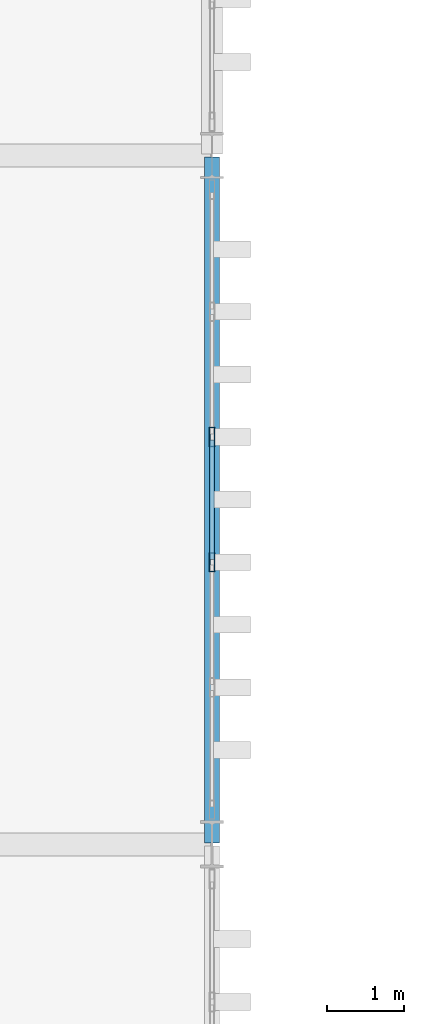
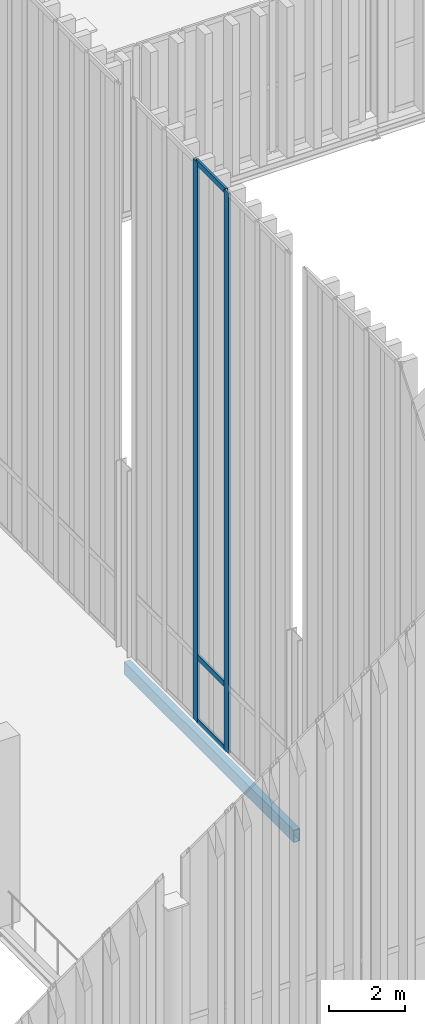
# One storey, part 53 of 237: 5 members, 1 beam, 1 element without a shape of its own.
"""IFC4 building model written with IfcOpenShell, lengths in metres."""

from ifc_helpers import new_model, si_unit, direction, frame, origin, origin_2d, place, context, subcontext, project, spatial, hollow_rectangle, extrude, material, layer, layer_set, material_profile, profile_set, type_object, element, aggregate, save


model = new_model("IFC4")

# Units and contexts
model_context = context("Model", 3, precision=1e-05, world=origin(), true_north=direction((0.0, 1.0)))
body_context = subcontext(model_context, "Body", "Model", "MODEL_VIEW")
ifc_project = project(units=[si_unit("LENGTHUNIT", "METRE"), si_unit("AREAUNIT", "SQUARE_METRE"), si_unit("VOLUMEUNIT", "CUBIC_METRE"), si_unit("PLANEANGLEUNIT", "RADIAN"), si_unit("MASSUNIT", "GRAM", prefix="KILO")], contexts=[model_context])

# Site, building, storey
site_placement = place(None, origin())
site = spatial("IfcSite", under=ifc_project, at=site_placement, CompositionType="ELEMENT")
building_placement = place(site_placement, origin())
building = spatial("IfcBuilding", under=site, at=building_placement, Name="Barlavento Convention Centre", CompositionType="ELEMENT")
storey_placement = place(building_placement, frame((0.0, 0.0, 12.0)))
storey = spatial("IfcBuildingStorey", under=building, at=storey_placement, Name="L02", CompositionType="ELEMENT", Elevation=12.0)

# Curtain wall, members
ifc_material_1 = material(Name="Powder-coated aluminium and Low-E glass", Category="aluminium")
ifc_layer = layer(ifc_material_1, 0.18994140625)
ifc_layer_set = layer_set([ifc_layer], Name="ARC-CW-CONG-L02")
curtain_wall_type = type_object("IfcCurtainWallType", Name="ARC-CW-CONG-L02", PredefinedType="NOTDEFINED", material=ifc_layer_set)
curtain_wall_placement = place(storey_placement, origin())
curtain_wall = element("IfcCurtainWall", 1, at=curtain_wall_placement, inside=storey, type_object=curtain_wall_type, Name="L02 unitised curtain wall CW02", PredefinedType="NOTDEFINED")
ifc_material_2 = material(Name="Powder-coated aluminium", Category="aluminium")
ifc_material_profile_1 = material_profile(ifc_material_2, hollow_rectangle(XDim=0.074951171875, YDim=0.25, WallThickness=0.006103515625, at=origin_2d()), Name="AL-MULL 75x250x6")
ifc_profile_set_1 = profile_set([ifc_material_profile_1], Name="Powder-coated aluminium")
member_type_1 = type_object("IfcMemberType", Name="ARC-CWM-75X250", PredefinedType="MULLION", material=ifc_profile_set_1)
member_1_placement = place(storey_placement, frame((63.0, 21.68701171875, 0.0), z_axis=(0.0, 0.0, 1.0), x_axis=(-1.0, 0.0, 0.0)))
member_1 = element("IfcMember", 2, at=member_1_placement, type_object=member_type_1, Name="CW02 mullion 3", PredefinedType="MULLION", context=body_context, shape_type="SweptSolid", body=[
    extrude(hollow_rectangle(XDim=0.074951171875, YDim=0.25, WallThickness=0.006103515625, at=origin_2d()), origin(), (0.0, 0.0, 1.0), 18.037109375),
])
member_2_placement = place(storey_placement, frame((63.0, 23.322998046875, 0.0), z_axis=(0.0, 0.0, 1.0), x_axis=(-1.0, 0.0, 0.0)))
member_2 = element("IfcMember", 3, at=member_2_placement, type_object=member_type_1, Name="CW02 mullion 4", PredefinedType="MULLION", context=body_context, shape_type="SweptSolid", body=[
    extrude(hollow_rectangle(XDim=0.074951171875, YDim=0.25, WallThickness=0.006103515625, at=origin_2d()), origin(), (0.0, 0.0, 1.0), 18.037109375),
])
ifc_material_profile_2 = material_profile(ifc_material_2, hollow_rectangle(XDim=0.070068359375, YDim=0.179931640625, WallThickness=0.0048828125, at=origin_2d()), Name="AL-TRAN 70x180x5")
ifc_profile_set_2 = profile_set([ifc_material_profile_2], Name="Powder-coated aluminium")
member_type_2 = type_object("IfcMemberType", Name="ARC-CWT-70X180", PredefinedType="USERDEFINED", material=ifc_profile_set_2)
member_3_placement = place(storey_placement, frame((63.0, 21.724609375, 0.034912109375), z_axis=(0.0, 1.0, 0.0), x_axis=(-1.0, 0.0, 0.0)))
member_3 = element("IfcMember", 4, at=member_3_placement, type_object=member_type_2, Name="CW02 transom 3.1", ObjectType="TRANSOM", PredefinedType="USERDEFINED", context=body_context, shape_type="SweptSolid", body=[
    extrude(hollow_rectangle(XDim=0.070068359375, YDim=0.179931640625, WallThickness=0.0048828125, at=origin_2d()), origin(), (0.0, 0.0, 1.0), 1.560791015625),
])
member_4_placement = place(storey_placement, frame((63.0, 21.724609375, 2.10009765625), z_axis=(0.0, 1.0, 0.0), x_axis=(-1.0, 0.0, 0.0)))
member_4 = element("IfcMember", 5, at=member_4_placement, type_object=member_type_2, Name="CW02 transom 3.2", ObjectType="TRANSOM", PredefinedType="USERDEFINED", context=body_context, shape_type="SweptSolid", body=[
    extrude(hollow_rectangle(XDim=0.070068359375, YDim=0.179931640625, WallThickness=0.0048828125, at=origin_2d()), origin(), (0.0, 0.0, 1.0), 1.560791015625),
])
member_5_placement = place(storey_placement, frame((63.0, 21.724609375, 18.001953125), z_axis=(0.0, 1.0, 0.0), x_axis=(-1.0, 0.0, 0.0)))
member_5 = element("IfcMember", 6, at=member_5_placement, type_object=member_type_2, Name="CW02 transom 3.3", ObjectType="TRANSOM", PredefinedType="USERDEFINED", context=body_context, shape_type="SweptSolid", body=[
    extrude(hollow_rectangle(XDim=0.070068359375, YDim=0.179931640625, WallThickness=0.0048828125, at=origin_2d()), origin(), (0.0, 0.0, 1.0), 1.560791015625),
])
aggregate(curtain_wall, [member_1, member_2, member_3, member_4, member_5])

# Beam
ifc_material_3 = material(Name="Steel S355", Category="steel")
ifc_material_profile_3 = material_profile(ifc_material_3, hollow_rectangle(XDim=0.199951171875, YDim=0.39990234375, WallThickness=0.01611328125, at=origin_2d()), Name="RHS 400x200x16.0")
ifc_profile_set_3 = profile_set([ifc_material_profile_3], Name="Steel S355")
beam_type = type_object("IfcBeamType", Name="STR-BM-SPN-RHS400", PredefinedType="SPANDREL", material=ifc_profile_set_3)
beam_placement = place(storey_placement, frame((63.0, 18.02001953125, -0.5), z_axis=(0.0, 1.0, 0.0), x_axis=(-1.0, 0.0, 0.0)))
element("IfcBeam", 7, at=beam_placement, inside=storey, type_object=beam_type, Name="L02 grid girder SP06", PredefinedType="SPANDREL", context=body_context, shape_type="SweptSolid", body=[
    extrude(hollow_rectangle(XDim=0.199951171875, YDim=0.39990234375, WallThickness=0.01611328125, at=origin_2d()), origin(), (0.0, 0.0, 1.0), 8.9599609375),
])

save(model, "model.ifc")
